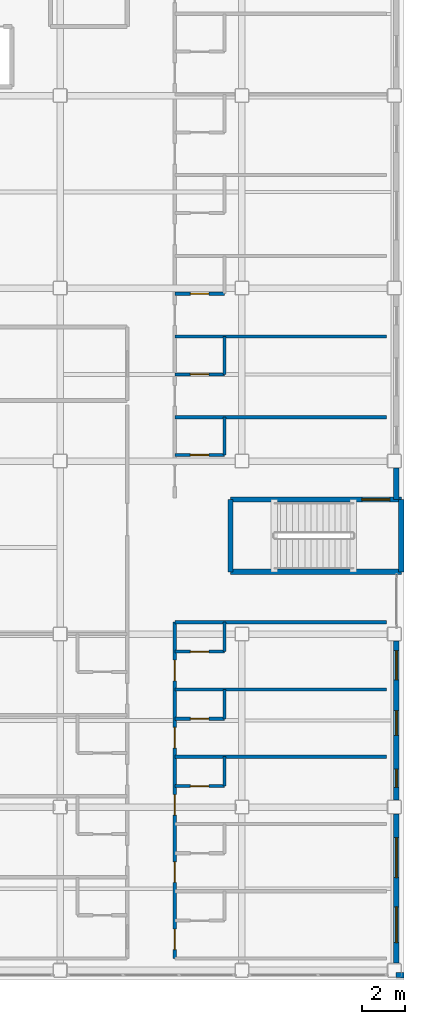
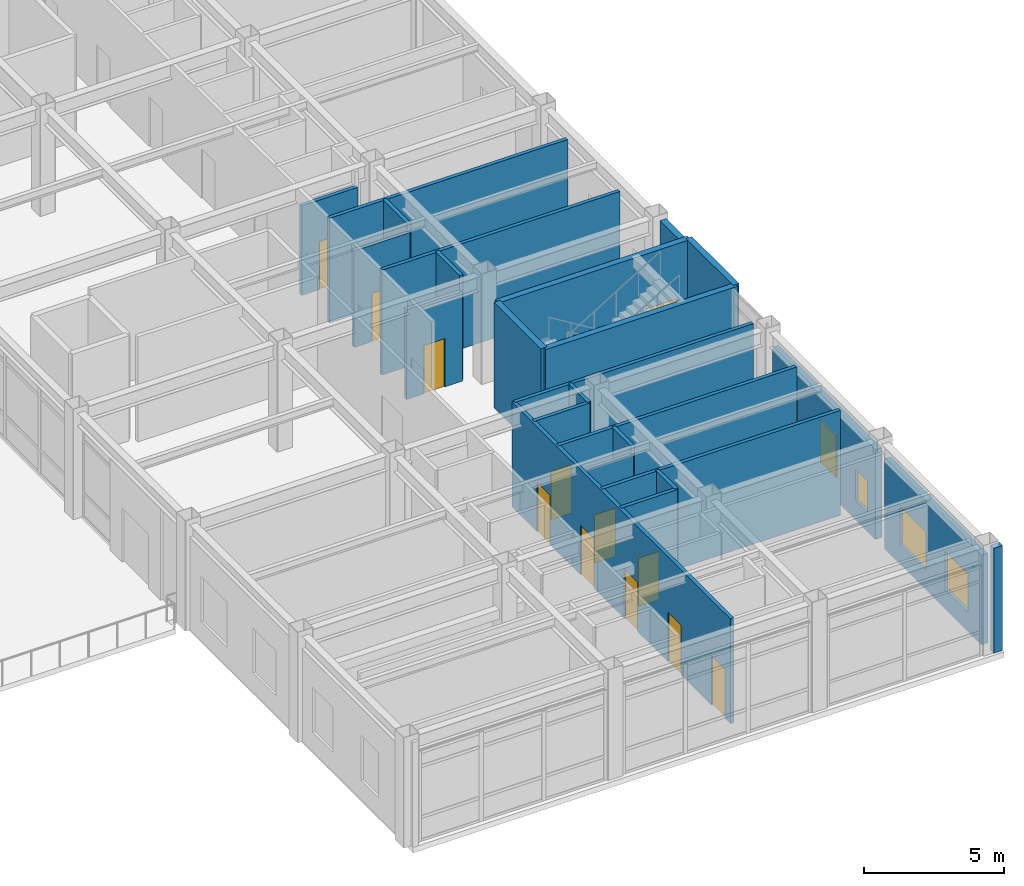
# One storey, part 50 of 61: 25 walls, 12 doors, 5 windows, 17 openings.
"""IFC4 building model written with IfcOpenShell, lengths in metres."""

from ifc_helpers import new_model, si_unit, direction, frame, frame_2d, origin, place, context, subcontext, project, spatial, rectangle, extrude, material, layer, layer_set, type_object, element, fill, save


model = new_model("IFC4")

# Units and contexts
model_context = context("Model", 3, precision=1e-05, world=origin(), true_north=direction((0.0, 1.0)))
body_context = subcontext(model_context, "Body", "Model", "MODEL_VIEW")
ifc_project = project(units=[si_unit("LENGTHUNIT", "METRE"), si_unit("AREAUNIT", "SQUARE_METRE"), si_unit("VOLUMEUNIT", "CUBIC_METRE"), si_unit("PLANEANGLEUNIT", "RADIAN"), si_unit("MASSUNIT", "GRAM", prefix="KILO")], contexts=[model_context])

# Site, building, storey
site_placement = place(None, origin())
site = spatial("IfcSite", under=ifc_project, at=site_placement, CompositionType="ELEMENT")
building_placement = place(site_placement, origin())
building = spatial("IfcBuilding", under=site, at=building_placement, Name="Kazehara Bluff Congress Hotel", CompositionType="ELEMENT")
storey_placement = place(building_placement, frame((0.0, 0.0, 19.800048828125)))
storey = spatial("IfcBuildingStorey", under=building, at=storey_placement, Name="L04", CompositionType="ELEMENT", Elevation=19.800048828125)

# Walls
ifc_material_1 = material(Name="Concrete C40/50", Category="concrete")
ifc_layer_1 = layer(ifc_material_1, 0.25)
ifc_layer_set_1 = layer_set([ifc_layer_1], Name="Concrete C40/50")
wall_type_1 = type_object("IfcWallType", Name="TP-CW-RC", PredefinedType="SHEAR", material=ifc_layer_set_1)
for number, where, z_axis, x_axis, name in (
    (1, (167.875, 22.22509765625, 0.0), (0.0, 0.0, 1.0), (0.0, -1.0, 0.0), "L04 ST-10 core wall near"),
    (2, (159.97509765625, 18.875, 0.0), (0.0, 0.0, 1.0), (0.0, 1.0, 0.0), "L04 ST-10 core wall far"),
):
    element("IfcWall", number, at=place(storey_placement, frame(where, z_axis=z_axis, x_axis=x_axis)), inside=storey, type_object=wall_type_1, Name=name, PredefinedType="SHEAR", context=body_context, shape_type="SweptSolid", body=[
        extrude(rectangle(XDim=3.35009765625, YDim=0.25, at=frame_2d((1.675048828125, 0.0))), origin(), (0.0, 0.0, 1.0), 4.579833984375),
    ])

# Wall, opening, door
wall_1_placement = place(storey_placement, frame((159.97509765625, 22.22509765625, 0.0), z_axis=(0.0, 0.0, 1.0), x_axis=(1.0, 0.0, 0.0)))
wall_1 = element("IfcWall", 3, at=wall_1_placement, inside=storey, type_object=wall_type_1, Name="L04 ST-10 core wall left", PredefinedType="SHEAR", context=body_context, shape_type="SweptSolid", body=[
    extrude(rectangle(XDim=7.89990234375, YDim=0.25, at=frame_2d((3.949951171875, 0.0))), origin(), (0.0, 0.0, 1.0), 4.579833984375),
])
opening_1_placement = place(wall_1_placement, frame((6.074951171875, 0.0, 0.0)))
opening_1 = element("IfcOpeningElement", 4, at=opening_1_placement, cuts=wall_1, Name="Opening FD-01", PredefinedType="OPENING", context=body_context, shape_type="SweptSolid", body=[
    extrude(rectangle(XDim=1.300048828125, YDim=2.199951171875, at=frame_2d((0.64990234375, 1.10009765625))), frame((0.0, 0.135009765625, 0.0), z_axis=(0.0, -1.0, 0.0), x_axis=(1.0, 0.0, 0.0)), (0.0, 0.0, 1.0), 0.27001953125),
])
ifc_material_2 = material(Name="Fire-rated painted steel leaf", Category="steel")
door_type_1 = type_object("IfcDoorType", Name="TP-FD-01", OperationType="NOTDEFINED", PredefinedType="DOOR", material=ifc_material_2)
door_1_placement = place(opening_1_placement, origin())
door_1 = element("IfcDoor", 5, at=door_1_placement, inside=storey, type_object=door_type_1, Name="L04 ST-10 fire stair door", OperationType="SINGLE_SWING_RIGHT", OverallHeight=2.199951171875, OverallWidth=1.300048828125, PredefinedType="DOOR", context=body_context, shape_type="SweptSolid", body=[
    extrude(rectangle(XDim=1.300048828125, YDim=2.199951171875, at=frame_2d((0.64990234375, 1.10009765625))), frame((0.0, 0.02490234375, 0.0), z_axis=(0.0, -1.0, 0.0), x_axis=(1.0, 0.0, 0.0)), (0.0, 0.0, 1.0), 0.050048828125),
])
fill(opening_1, door_1)

# Walls
wall_2_placement = place(storey_placement, frame((167.875, 18.875, 0.0), z_axis=(0.0, 0.0, 1.0), x_axis=(-1.0, 0.0, 0.0)))
element("IfcWall", 6, at=wall_2_placement, inside=storey, type_object=wall_type_1, Name="L04 ST-10 core wall right", PredefinedType="SHEAR", context=body_context, shape_type="SweptSolid", body=[
    extrude(rectangle(XDim=7.89990234375, YDim=0.25, at=frame_2d((3.949951171875, 0.0))), origin(), (0.0, 0.0, 1.0), 4.579833984375),
])
ifc_material_3 = material(Name="Precast concrete C40/50", Category="concrete")
ifc_layer_2 = layer(ifc_material_3, 0.239990234375)
ifc_layer_set_2 = layer_set([ifc_layer_2], Name="Precast concrete C40/50")
wall_type_2 = type_object("IfcWallType", Name="TP-EW-240", PredefinedType="SOLIDWALL", material=ifc_layer_set_2)
wall_3_placement = place(storey_placement, frame((168.0, 0.219970703125, 0.0), z_axis=(0.0, 0.0, 1.0), x_axis=(-1.0, 0.0, 0.0)))
element("IfcWall", 7, at=wall_3_placement, inside=storey, type_object=wall_type_2, Name="L04 V5 perimeter spandrel pier 725", PredefinedType="SOLIDWALL", context=body_context, shape_type="SweptSolid", body=[
    extrude(rectangle(XDim=0.360107421875, YDim=0.239990234375, at=frame_2d((0.18017578125, 0.0))), origin(), (0.0, 0.0, 1.0), 4.56494140625),
])

# Wall, openings, windows
ifc_material_4 = material(Name="Precast concrete C40/50", Category="concrete")
ifc_layer_3 = layer(ifc_material_4, 0.260009765625)
ifc_layer_set_3 = layer_set([ifc_layer_3], Name="Precast concrete C40/50")
wall_type_3 = type_object("IfcWallType", Name="TP-EW-260", PredefinedType="SOLIDWALL", material=ifc_layer_set_3)
wall_4_placement = place(storey_placement, frame((167.64990234375, 7.675048828125, 0.0), z_axis=(0.0, 0.0, 1.0), x_axis=(0.0, -1.0, 0.0)))
wall_4 = element("IfcWall", 8, at=wall_4_placement, inside=storey, type_object=wall_type_3, Name="L04 hotel facade panel 24", PredefinedType="SOLIDWALL", context=body_context, shape_type="SweptSolid", body=[
    extrude(rectangle(XDim=6.900146484375, YDim=0.260009765625, at=frame_2d((3.4501953125, 0.0))), origin(), (0.0, 0.0, 1.0), 3.905029296875),
])
opening_2_placement = place(wall_4_placement, frame((4.294921875, 0.0, 0.85009765625)))
opening_2 = element("IfcOpeningElement", 9, at=opening_2_placement, cuts=wall_4, Name="Opening WN-28", PredefinedType="OPENING", context=body_context, shape_type="SweptSolid", body=[
    extrude(rectangle(XDim=1.64990234375, YDim=1.64990234375, at=frame_2d((0.824951171875, 0.824951171875))), frame((0.0, 0.139892578125, 0.0), z_axis=(0.0, -1.0, 0.0), x_axis=(1.0, 0.0, 0.0)), (0.0, 0.0, 1.0), 0.280029296875),
])
opening_3_placement = place(wall_4_placement, frame((1.0849609375, 0.0, 0.85009765625)))
opening_3 = element("IfcOpeningElement", 10, at=opening_3_placement, cuts=wall_4, Name="Opening WN-38", PredefinedType="OPENING", context=body_context, shape_type="SweptSolid", body=[
    extrude(rectangle(XDim=1.85009765625, YDim=1.64990234375, at=frame_2d((0.925048828125, 0.824951171875))), frame((0.0, 0.139892578125, 0.0), z_axis=(0.0, -1.0, 0.0), x_axis=(1.0, 0.0, 0.0)), (0.0, 0.0, 1.0), 0.280029296875),
])
ifc_material_5 = material(Name="Insulated low-E double glazing", Category="glass")
window_type_1 = type_object("IfcWindowType", Name="TP-WN-28", PartitioningType="SINGLE_PANEL", PredefinedType="WINDOW", material=ifc_material_5)
window_1_placement = place(opening_2_placement, origin())
window_1 = element("IfcWindow", 11, at=window_1_placement, inside=storey, type_object=window_type_1, Name="L04 guestroom window WN-28 31", OverallHeight=1.64990234375, OverallWidth=1.64990234375, PartitioningType="SINGLE_PANEL", PredefinedType="WINDOW", context=body_context, shape_type="SweptSolid", body=[
    extrude(rectangle(XDim=1.64990234375, YDim=1.64990234375, at=frame_2d((0.824951171875, 0.824951171875))), frame((0.0, 0.030029296875, 0.0), z_axis=(0.0, -1.0, 0.0), x_axis=(1.0, 0.0, 0.0)), (0.0, 0.0, 1.0), 0.06005859375),
])
fill(opening_2, window_1)
ifc_material_6 = material(Name="Insulated low-E double glazing", Category="glass")
window_type_2 = type_object("IfcWindowType", Name="TP-WN-38", PartitioningType="DOUBLE_PANEL_VERTICAL", PredefinedType="WINDOW", material=ifc_material_6)
window_2_placement = place(opening_3_placement, origin())
window_2 = element("IfcWindow", 12, at=window_2_placement, inside=storey, type_object=window_type_2, Name="L04 guestroom window WN-38 32", OverallHeight=1.64990234375, OverallWidth=1.85009765625, PartitioningType="SINGLE_PANEL", PredefinedType="WINDOW", context=body_context, shape_type="SweptSolid", body=[
    extrude(rectangle(XDim=1.85009765625, YDim=1.64990234375, at=frame_2d((0.925048828125, 0.824951171875))), frame((0.0, 0.030029296875, 0.0), z_axis=(0.0, -1.0, 0.0), x_axis=(1.0, 0.0, 0.0)), (0.0, 0.0, 1.0), 0.06005859375),
])
fill(opening_3, window_2)

wall_5_placement = place(storey_placement, frame((167.64990234375, 15.675048828125, 0.0), z_axis=(0.0, 0.0, 1.0), x_axis=(0.0, -1.0, 0.0)))
wall_5 = element("IfcWall", 13, at=wall_5_placement, inside=storey, type_object=wall_type_3, Name="L04 hotel facade panel 25", PredefinedType="SOLIDWALL", context=body_context, shape_type="SweptSolid", body=[
    extrude(rectangle(XDim=7.35009765625, YDim=0.260009765625, at=frame_2d((3.675048828125, 0.0))), origin(), (0.0, 0.0, 1.0), 3.905029296875),
])
opening_4_placement = place(wall_5_placement, frame((5.919921875, 0.0, 0.85009765625)))
opening_4 = element("IfcOpeningElement", 14, at=opening_4_placement, cuts=wall_5, Name="Opening WN-55", PredefinedType="OPENING", context=body_context, shape_type="SweptSolid", body=[
    extrude(rectangle(XDim=0.85009765625, YDim=1.35009765625, at=frame_2d((0.425048828125, 0.675048828125))), frame((0.0, 0.139892578125, 0.0), z_axis=(0.0, -1.0, 0.0), x_axis=(1.0, 0.0, 0.0)), (0.0, 0.0, 1.0), 0.280029296875),
])
opening_5_placement = place(wall_5_placement, frame((3.215087890625, 0.0, 0.85009765625)))
opening_5 = element("IfcOpeningElement", 15, at=opening_5_placement, cuts=wall_5, Name="Opening WN-04", PredefinedType="OPENING", context=body_context, shape_type="SweptSolid", body=[
    extrude(rectangle(XDim=1.14990234375, YDim=1.800048828125, at=frame_2d((0.574951171875, 0.89990234375))), frame((0.0, 0.139892578125, 0.0), z_axis=(0.0, -1.0, 0.0), x_axis=(1.0, 0.0, 0.0)), (0.0, 0.0, 1.0), 0.280029296875),
])
opening_6_placement = place(wall_5_placement, frame((0.43994140625, 0.0, 0.85009765625)))
opening_6 = element("IfcOpeningElement", 16, at=opening_6_placement, cuts=wall_5, Name="Opening WN-14", PredefinedType="OPENING", context=body_context, shape_type="SweptSolid", body=[
    extrude(rectangle(XDim=1.35009765625, YDim=1.800048828125, at=frame_2d((0.675048828125, 0.89990234375))), frame((0.0, 0.139892578125, 0.0), z_axis=(0.0, -1.0, 0.0), x_axis=(1.0, 0.0, 0.0)), (0.0, 0.0, 1.0), 0.280029296875),
])
ifc_material_7 = material(Name="Insulated low-E double glazing", Category="glass")
window_type_3 = type_object("IfcWindowType", Name="TP-WN-04", PartitioningType="SINGLE_PANEL", PredefinedType="WINDOW", material=ifc_material_7)
window_3_placement = place(opening_5_placement, origin())
window_3 = element("IfcWindow", 17, at=window_3_placement, inside=storey, type_object=window_type_3, Name="L04 guestroom window WN-04 34", OverallHeight=1.800048828125, OverallWidth=1.14990234375, PartitioningType="SINGLE_PANEL", PredefinedType="WINDOW", context=body_context, shape_type="SweptSolid", body=[
    extrude(rectangle(XDim=1.14990234375, YDim=1.800048828125, at=frame_2d((0.574951171875, 0.89990234375))), frame((0.0, 0.030029296875, 0.0), z_axis=(0.0, -1.0, 0.0), x_axis=(1.0, 0.0, 0.0)), (0.0, 0.0, 1.0), 0.06005859375),
])
fill(opening_5, window_3)
ifc_material_8 = material(Name="Insulated low-E double glazing", Category="glass")
window_type_4 = type_object("IfcWindowType", Name="TP-WN-14", PartitioningType="SINGLE_PANEL", PredefinedType="WINDOW", material=ifc_material_8)
window_4_placement = place(opening_6_placement, origin())
window_4 = element("IfcWindow", 18, at=window_4_placement, inside=storey, type_object=window_type_4, Name="L04 guestroom window WN-14 35", OverallHeight=1.800048828125, OverallWidth=1.35009765625, PartitioningType="SINGLE_PANEL", PredefinedType="WINDOW", context=body_context, shape_type="SweptSolid", body=[
    extrude(rectangle(XDim=1.35009765625, YDim=1.800048828125, at=frame_2d((0.675048828125, 0.89990234375))), frame((0.0, 0.030029296875, 0.0), z_axis=(0.0, -1.0, 0.0), x_axis=(1.0, 0.0, 0.0)), (0.0, 0.0, 1.0), 0.06005859375),
])
fill(opening_6, window_4)
ifc_material_9 = material(Name="Insulated low-E double glazing", Category="glass")
window_type_5 = type_object("IfcWindowType", Name="TP-WN-55", PartitioningType="SINGLE_PANEL", PredefinedType="WINDOW", material=ifc_material_9)
window_5_placement = place(opening_4_placement, origin())
window_5 = element("IfcWindow", 19, at=window_5_placement, inside=storey, type_object=window_type_5, Name="L04 guestroom window WN-55 33", OverallHeight=1.35009765625, OverallWidth=0.85009765625, PartitioningType="SINGLE_PANEL", PredefinedType="WINDOW", context=body_context, shape_type="SweptSolid", body=[
    extrude(rectangle(XDim=0.85009765625, YDim=1.35009765625, at=frame_2d((0.425048828125, 0.675048828125))), frame((0.0, 0.030029296875, 0.0), z_axis=(0.0, -1.0, 0.0), x_axis=(1.0, 0.0, 0.0)), (0.0, 0.0, 1.0), 0.06005859375),
])
fill(opening_4, window_5)

# Wall
wall_6_placement = place(storey_placement, frame((167.64990234375, 23.675048828125, 0.0), z_axis=(0.0, 0.0, 1.0), x_axis=(0.0, -1.0, 0.0)))
element("IfcWall", 20, at=wall_6_placement, inside=storey, type_object=wall_type_3, Name="L04 hotel facade panel 26", PredefinedType="SOLIDWALL", context=body_context, shape_type="SweptSolid", body=[
    extrude(rectangle(XDim=1.449951171875, YDim=0.260009765625, at=frame_2d((0.72509765625, 0.0))), origin(), (0.0, 0.0, 1.0), 4.56494140625),
])

# Wall, opening, door
ifc_material_10 = material(Name="Fire-rated gypsum board stud partition")
ifc_layer_4 = layer(ifc_material_10, 0.14990234375)
ifc_layer_set_4 = layer_set([ifc_layer_4], Name="Fire-rated gypsum board stud partition")
wall_type_4 = type_object("IfcWallType", Name="TP-PT-150", PredefinedType="PARTITIONING", material=ifc_layer_set_4)
wall_7_placement = place(storey_placement, frame((157.39990234375, 8.969970703125, 0.0), z_axis=(0.0, 0.0, 1.0), x_axis=(1.0, 0.0, 0.0)))
wall_7 = element("IfcWall", 21, at=wall_7_placement, inside=storey, type_object=wall_type_4, Name="L04 partition PT-150 378", PredefinedType="PARTITIONING", context=body_context, shape_type="SweptSolid", body=[
    extrude(rectangle(XDim=2.300048828125, YDim=0.14990234375, at=frame_2d((1.14990234375, 0.0))), origin(), (0.0, 0.0, 1.0), 4.56494140625),
])
opening_7_placement = place(wall_7_placement, frame((0.72509765625, 0.0, 0.0)))
opening_7 = element("IfcOpeningElement", 22, at=opening_7_placement, cuts=wall_7, Name="Opening BD-01", PredefinedType="OPENING", context=body_context, shape_type="SweptSolid", body=[
    extrude(rectangle(XDim=0.85009765625, YDim=2.10009765625, at=frame_2d((0.425048828125, 1.050048828125))), frame((0.0, 0.0849609375, 0.0), z_axis=(0.0, -1.0, 0.0), x_axis=(1.0, 0.0, 0.0)), (0.0, 0.0, 1.0), 0.169921875),
])
ifc_material_11 = material(Name="Architectural oak veneer leaf")
door_type_2 = type_object("IfcDoorType", Name="TP-BD-01", OperationType="NOTDEFINED", PredefinedType="DOOR", material=ifc_material_11)
door_2_placement = place(opening_7_placement, origin())
door_2 = element("IfcDoor", 23, at=door_2_placement, inside=storey, type_object=door_type_2, Name="L04 En-suite Bathroom 51 door", OperationType="SINGLE_SWING_LEFT", OverallHeight=2.10009765625, OverallWidth=0.85009765625, PredefinedType="DOOR", context=body_context, shape_type="SweptSolid", body=[
    extrude(rectangle(XDim=0.85009765625, YDim=2.10009765625, at=frame_2d((0.425048828125, 1.050048828125))), frame((0.0, 0.02490234375, 0.0), z_axis=(0.0, -1.0, 0.0), x_axis=(1.0, 0.0, 0.0)), (0.0, 0.0, 1.0), 0.050048828125),
])
fill(opening_7, door_2)

# Wall
wall_8_placement = place(storey_placement, frame((157.39990234375, 10.330078125, 0.0), z_axis=(0.0, 0.0, 1.0), x_axis=(1.0, 0.0, 0.0)))
element("IfcWall", 24, at=wall_8_placement, inside=storey, type_object=wall_type_4, Name="L04 partition PT-150 379", PredefinedType="PARTITIONING", context=body_context, shape_type="SweptSolid", body=[
    extrude(rectangle(XDim=9.800048828125, YDim=0.14990234375, at=frame_2d((4.89990234375, 0.0))), origin(), (0.0, 0.0, 1.0), 4.56494140625),
])

# Wall, opening, door
wall_9_placement = place(storey_placement, frame((157.39990234375, 12.080078125, 0.0), z_axis=(0.0, 0.0, 1.0), x_axis=(1.0, 0.0, 0.0)))
wall_9 = element("IfcWall", 25, at=wall_9_placement, inside=storey, type_object=wall_type_4, Name="L04 partition PT-150 381", PredefinedType="PARTITIONING", context=body_context, shape_type="SweptSolid", body=[
    extrude(rectangle(XDim=2.300048828125, YDim=0.14990234375, at=frame_2d((1.14990234375, 0.0))), origin(), (0.0, 0.0, 1.0), 4.204833984375),
])
opening_8_placement = place(wall_9_placement, frame((0.72509765625, 0.0, 0.0)))
opening_8 = element("IfcOpeningElement", 26, at=opening_8_placement, cuts=wall_9, Name="Opening BD-01", PredefinedType="OPENING", context=body_context, shape_type="SweptSolid", body=[
    extrude(rectangle(XDim=0.85009765625, YDim=2.10009765625, at=frame_2d((0.425048828125, 1.050048828125))), frame((0.0, 0.0849609375, 0.0), z_axis=(0.0, -1.0, 0.0), x_axis=(1.0, 0.0, 0.0)), (0.0, 0.0, 1.0), 0.169921875),
])
door_3_placement = place(opening_8_placement, origin())
door_3 = element("IfcDoor", 27, at=door_3_placement, inside=storey, type_object=door_type_2, Name="L04 En-suite Bathroom 52 door", OperationType="SINGLE_SWING_LEFT", OverallHeight=2.10009765625, OverallWidth=0.85009765625, PredefinedType="DOOR", context=body_context, shape_type="SweptSolid", body=[
    extrude(rectangle(XDim=0.85009765625, YDim=2.10009765625, at=frame_2d((0.425048828125, 1.050048828125))), frame((0.0, 0.02490234375, 0.0), z_axis=(0.0, -1.0, 0.0), x_axis=(1.0, 0.0, 0.0)), (0.0, 0.0, 1.0), 0.050048828125),
])
fill(opening_8, door_3)

# Wall
wall_10_placement = place(storey_placement, frame((157.39990234375, 13.43994140625, 0.0), z_axis=(0.0, 0.0, 1.0), x_axis=(1.0, 0.0, 0.0)))
element("IfcWall", 28, at=wall_10_placement, inside=storey, type_object=wall_type_4, Name="L04 partition PT-150 383", PredefinedType="PARTITIONING", context=body_context, shape_type="SweptSolid", body=[
    extrude(rectangle(XDim=9.800048828125, YDim=0.14990234375, at=frame_2d((4.89990234375, 0.0))), origin(), (0.0, 0.0, 1.0), 4.56494140625),
])

# Wall, opening, door
wall_11_placement = place(storey_placement, frame((157.39990234375, 15.18994140625, 0.0), z_axis=(0.0, 0.0, 1.0), x_axis=(1.0, 0.0, 0.0)))
wall_11 = element("IfcWall", 29, at=wall_11_placement, inside=storey, type_object=wall_type_4, Name="L04 partition PT-150 385", PredefinedType="PARTITIONING", context=body_context, shape_type="SweptSolid", body=[
    extrude(rectangle(XDim=2.300048828125, YDim=0.14990234375, at=frame_2d((1.14990234375, 0.0))), origin(), (0.0, 0.0, 1.0), 4.56494140625),
])
opening_9_placement = place(wall_11_placement, frame((0.72509765625, 0.0, 0.0)))
opening_9 = element("IfcOpeningElement", 30, at=opening_9_placement, cuts=wall_11, Name="Opening BD-01", PredefinedType="OPENING", context=body_context, shape_type="SweptSolid", body=[
    extrude(rectangle(XDim=0.85009765625, YDim=2.10009765625, at=frame_2d((0.425048828125, 1.050048828125))), frame((0.0, 0.0849609375, 0.0), z_axis=(0.0, -1.0, 0.0), x_axis=(1.0, 0.0, 0.0)), (0.0, 0.0, 1.0), 0.169921875),
])
door_4_placement = place(opening_9_placement, origin())
door_4 = element("IfcDoor", 31, at=door_4_placement, inside=storey, type_object=door_type_2, Name="L04 En-suite Bathroom 53 door", OperationType="SINGLE_SWING_LEFT", OverallHeight=2.10009765625, OverallWidth=0.85009765625, PredefinedType="DOOR", context=body_context, shape_type="SweptSolid", body=[
    extrude(rectangle(XDim=0.85009765625, YDim=2.10009765625, at=frame_2d((0.425048828125, 1.050048828125))), frame((0.0, 0.02490234375, 0.0), z_axis=(0.0, -1.0, 0.0), x_axis=(1.0, 0.0, 0.0)), (0.0, 0.0, 1.0), 0.050048828125),
])
fill(opening_9, door_4)

# Wall
wall_12_placement = place(storey_placement, frame((157.39990234375, 16.550048828125, 0.0), z_axis=(0.0, 0.0, 1.0), x_axis=(1.0, 0.0, 0.0)))
element("IfcWall", 32, at=wall_12_placement, inside=storey, type_object=wall_type_4, Name="L04 partition PT-150 388", PredefinedType="PARTITIONING", context=body_context, shape_type="SweptSolid", body=[
    extrude(rectangle(XDim=9.800048828125, YDim=0.14990234375, at=frame_2d((4.89990234375, 0.0))), origin(), (0.0, 0.0, 1.0), 4.56494140625),
])

# Wall, opening, door
wall_13_placement = place(storey_placement, frame((157.39990234375, 24.280029296875, 0.0), z_axis=(0.0, 0.0, 1.0), x_axis=(1.0, 0.0, 0.0)))
wall_13 = element("IfcWall", 33, at=wall_13_placement, inside=storey, type_object=wall_type_4, Name="L04 partition PT-150 390", PredefinedType="PARTITIONING", context=body_context, shape_type="SweptSolid", body=[
    extrude(rectangle(XDim=2.300048828125, YDim=0.14990234375, at=frame_2d((1.14990234375, 0.0))), origin(), (0.0, 0.0, 1.0), 3.905029296875),
])
opening_10_placement = place(wall_13_placement, frame((0.72509765625, 0.0, 0.0)))
opening_10 = element("IfcOpeningElement", 34, at=opening_10_placement, cuts=wall_13, Name="Opening BD-01", PredefinedType="OPENING", context=body_context, shape_type="SweptSolid", body=[
    extrude(rectangle(XDim=0.85009765625, YDim=2.10009765625, at=frame_2d((0.425048828125, 1.050048828125))), frame((0.0, 0.0849609375, 0.0), z_axis=(0.0, -1.0, 0.0), x_axis=(1.0, 0.0, 0.0)), (0.0, 0.0, 1.0), 0.169921875),
])
door_5_placement = place(opening_10_placement, origin())
door_5 = element("IfcDoor", 35, at=door_5_placement, inside=storey, type_object=door_type_2, Name="L04 En-suite Bathroom 54 door", OperationType="SINGLE_SWING_LEFT", OverallHeight=2.10009765625, OverallWidth=0.85009765625, PredefinedType="DOOR", context=body_context, shape_type="SweptSolid", body=[
    extrude(rectangle(XDim=0.85009765625, YDim=2.10009765625, at=frame_2d((0.425048828125, 1.050048828125))), frame((0.0, 0.02490234375, 0.0), z_axis=(0.0, -1.0, 0.0), x_axis=(1.0, 0.0, 0.0)), (0.0, 0.0, 1.0), 0.050048828125),
])
fill(opening_10, door_5)

# Wall
wall_14_placement = place(storey_placement, frame((157.39990234375, 26.030029296875, 0.0), z_axis=(0.0, 0.0, 1.0), x_axis=(1.0, 0.0, 0.0)))
element("IfcWall", 36, at=wall_14_placement, inside=storey, type_object=wall_type_4, Name="L04 partition PT-150 391", PredefinedType="PARTITIONING", context=body_context, shape_type="SweptSolid", body=[
    extrude(rectangle(XDim=9.800048828125, YDim=0.14990234375, at=frame_2d((4.89990234375, 0.0))), origin(), (0.0, 0.0, 1.0), 4.56494140625),
])

# Wall, opening, door
wall_15_placement = place(storey_placement, frame((157.39990234375, 28.010009765625, 0.0), z_axis=(0.0, 0.0, 1.0), x_axis=(1.0, 0.0, 0.0)))
wall_15 = element("IfcWall", 37, at=wall_15_placement, inside=storey, type_object=wall_type_4, Name="L04 partition PT-150 393", PredefinedType="PARTITIONING", context=body_context, shape_type="SweptSolid", body=[
    extrude(rectangle(XDim=2.300048828125, YDim=0.14990234375, at=frame_2d((1.14990234375, 0.0))), origin(), (0.0, 0.0, 1.0), 4.204833984375),
])
opening_11_placement = place(wall_15_placement, frame((0.72509765625, 0.0, 0.0)))
opening_11 = element("IfcOpeningElement", 38, at=opening_11_placement, cuts=wall_15, Name="Opening BD-01", PredefinedType="OPENING", context=body_context, shape_type="SweptSolid", body=[
    extrude(rectangle(XDim=0.85009765625, YDim=2.10009765625, at=frame_2d((0.425048828125, 1.050048828125))), frame((0.0, 0.0849609375, 0.0), z_axis=(0.0, -1.0, 0.0), x_axis=(1.0, 0.0, 0.0)), (0.0, 0.0, 1.0), 0.169921875),
])
door_6_placement = place(opening_11_placement, origin())
door_6 = element("IfcDoor", 39, at=door_6_placement, inside=storey, type_object=door_type_2, Name="L04 En-suite Bathroom 55 door", OperationType="SINGLE_SWING_LEFT", OverallHeight=2.10009765625, OverallWidth=0.85009765625, PredefinedType="DOOR", context=body_context, shape_type="SweptSolid", body=[
    extrude(rectangle(XDim=0.85009765625, YDim=2.10009765625, at=frame_2d((0.425048828125, 1.050048828125))), frame((0.0, 0.02490234375, 0.0), z_axis=(0.0, -1.0, 0.0), x_axis=(1.0, 0.0, 0.0)), (0.0, 0.0, 1.0), 0.050048828125),
])
fill(opening_11, door_6)

# Wall
wall_16_placement = place(storey_placement, frame((157.39990234375, 29.760009765625, 0.0), z_axis=(0.0, 0.0, 1.0), x_axis=(1.0, 0.0, 0.0)))
element("IfcWall", 40, at=wall_16_placement, inside=storey, type_object=wall_type_4, Name="L04 partition PT-150 394", PredefinedType="PARTITIONING", context=body_context, shape_type="SweptSolid", body=[
    extrude(rectangle(XDim=9.800048828125, YDim=0.14990234375, at=frame_2d((4.89990234375, 0.0))), origin(), (0.0, 0.0, 1.0), 4.56494140625),
])

# Wall, opening, door
wall_17_placement = place(storey_placement, frame((157.39990234375, 31.739990234375, 0.0), z_axis=(0.0, 0.0, 1.0), x_axis=(1.0, 0.0, 0.0)))
wall_17 = element("IfcWall", 41, at=wall_17_placement, inside=storey, type_object=wall_type_4, Name="L04 partition PT-150 396", PredefinedType="PARTITIONING", context=body_context, shape_type="SweptSolid", body=[
    extrude(rectangle(XDim=2.300048828125, YDim=0.14990234375, at=frame_2d((1.14990234375, 0.0))), origin(), (0.0, 0.0, 1.0), 3.905029296875),
])
opening_12_placement = place(wall_17_placement, frame((0.72509765625, 0.0, 0.0)))
opening_12 = element("IfcOpeningElement", 42, at=opening_12_placement, cuts=wall_17, Name="Opening BD-01", PredefinedType="OPENING", context=body_context, shape_type="SweptSolid", body=[
    extrude(rectangle(XDim=0.85009765625, YDim=2.10009765625, at=frame_2d((0.425048828125, 1.050048828125))), frame((0.0, 0.0849609375, 0.0), z_axis=(0.0, -1.0, 0.0), x_axis=(1.0, 0.0, 0.0)), (0.0, 0.0, 1.0), 0.169921875),
])
door_7_placement = place(opening_12_placement, origin())
door_7 = element("IfcDoor", 43, at=door_7_placement, inside=storey, type_object=door_type_2, Name="L04 En-suite Bathroom 56 door", OperationType="SINGLE_SWING_LEFT", OverallHeight=2.10009765625, OverallWidth=0.85009765625, PredefinedType="DOOR", context=body_context, shape_type="SweptSolid", body=[
    extrude(rectangle(XDim=0.85009765625, YDim=2.10009765625, at=frame_2d((0.425048828125, 1.050048828125))), frame((0.0, 0.02490234375, 0.0), z_axis=(0.0, -1.0, 0.0), x_axis=(1.0, 0.0, 0.0)), (0.0, 0.0, 1.0), 0.050048828125),
])
fill(opening_12, door_7)

# Wall, openings, doors
wall_18_placement = place(storey_placement, frame((157.39990234375, 1.0, 0.0), z_axis=(0.0, 0.0, 1.0), x_axis=(0.0, 1.0, 0.0)))
wall_18 = element("IfcWall", 44, at=wall_18_placement, inside=storey, type_object=wall_type_4, Name="L04 partition PT-150 485", PredefinedType="PARTITIONING", context=body_context, shape_type="SweptSolid", body=[
    extrude(rectangle(XDim=15.550048828125, YDim=0.14990234375, at=frame_2d((7.77490234375, 0.0))), origin(), (0.0, 0.0, 1.0), 4.56494140625),
])
opening_13_placement = place(wall_18_placement, frame((0.39990234375, 0.0, 0.0)))
opening_13 = element("IfcOpeningElement", 45, at=opening_13_placement, cuts=wall_18, Name="Opening GD-01", PredefinedType="OPENING", context=body_context, shape_type="SweptSolid", body=[
    extrude(rectangle(XDim=0.949951171875, YDim=2.14990234375, at=frame_2d((0.47509765625, 1.074951171875))), frame((0.0, 0.0849609375, 0.0), z_axis=(0.0, -1.0, 0.0), x_axis=(1.0, 0.0, 0.0)), (0.0, 0.0, 1.0), 0.169921875),
])
opening_14_placement = place(wall_18_placement, frame((3.510009765625, 0.0, 0.0)))
opening_14 = element("IfcOpeningElement", 46, at=opening_14_placement, cuts=wall_18, Name="Opening GD-01", PredefinedType="OPENING", context=body_context, shape_type="SweptSolid", body=[
    extrude(rectangle(XDim=0.949951171875, YDim=2.14990234375, at=frame_2d((0.47509765625, 1.074951171875))), frame((0.0, 0.0849609375, 0.0), z_axis=(0.0, -1.0, 0.0), x_axis=(1.0, 0.0, 0.0)), (0.0, 0.0, 1.0), 0.169921875),
])
opening_15_placement = place(wall_18_placement, frame((6.6201171875, 0.0, 0.0)))
opening_15 = element("IfcOpeningElement", 47, at=opening_15_placement, cuts=wall_18, Name="Opening GD-01", PredefinedType="OPENING", context=body_context, shape_type="SweptSolid", body=[
    extrude(rectangle(XDim=0.949951171875, YDim=2.14990234375, at=frame_2d((0.47509765625, 1.074951171875))), frame((0.0, 0.0849609375, 0.0), z_axis=(0.0, -1.0, 0.0), x_axis=(1.0, 0.0, 0.0)), (0.0, 0.0, 1.0), 0.169921875),
])
opening_16_placement = place(wall_18_placement, frame((9.72998046875, 0.0, 0.0)))
opening_16 = element("IfcOpeningElement", 48, at=opening_16_placement, cuts=wall_18, Name="Opening GD-01", PredefinedType="OPENING", context=body_context, shape_type="SweptSolid", body=[
    extrude(rectangle(XDim=0.949951171875, YDim=2.14990234375, at=frame_2d((0.47509765625, 1.074951171875))), frame((0.0, 0.0849609375, 0.0), z_axis=(0.0, -1.0, 0.0), x_axis=(1.0, 0.0, 0.0)), (0.0, 0.0, 1.0), 0.169921875),
])
opening_17_placement = place(wall_18_placement, frame((12.840087890625, 0.0, 0.0)))
opening_17 = element("IfcOpeningElement", 49, at=opening_17_placement, cuts=wall_18, Name="Opening GD-01", PredefinedType="OPENING", context=body_context, shape_type="SweptSolid", body=[
    extrude(rectangle(XDim=0.949951171875, YDim=2.14990234375, at=frame_2d((0.47509765625, 1.074951171875))), frame((0.0, 0.0849609375, 0.0), z_axis=(0.0, -1.0, 0.0), x_axis=(1.0, 0.0, 0.0)), (0.0, 0.0, 1.0), 0.169921875),
])
ifc_material_12 = material(Name="Architectural oak veneer leaf")
door_type_3 = type_object("IfcDoorType", Name="TP-GD-01", OperationType="NOTDEFINED", PredefinedType="DOOR", material=ifc_material_12)
door_8_placement = place(opening_13_placement, origin())
door_8 = element("IfcDoor", 50, at=door_8_placement, inside=storey, type_object=door_type_3, Name="L04 Standard King Guest Room 49 door", OperationType="SINGLE_SWING_RIGHT", OverallHeight=2.14990234375, OverallWidth=0.949951171875, PredefinedType="DOOR", context=body_context, shape_type="SweptSolid", body=[
    extrude(rectangle(XDim=0.949951171875, YDim=2.14990234375, at=frame_2d((0.47509765625, 1.074951171875))), frame((0.0, 0.02490234375, 0.0), z_axis=(0.0, -1.0, 0.0), x_axis=(1.0, 0.0, 0.0)), (0.0, 0.0, 1.0), 0.050048828125),
])
fill(opening_13, door_8)
door_9_placement = place(opening_14_placement, origin())
door_9 = element("IfcDoor", 51, at=door_9_placement, inside=storey, type_object=door_type_3, Name="L04 Deluxe Twin Guest Room 50 door", OperationType="SINGLE_SWING_RIGHT", OverallHeight=2.14990234375, OverallWidth=0.949951171875, PredefinedType="DOOR", context=body_context, shape_type="SweptSolid", body=[
    extrude(rectangle(XDim=0.949951171875, YDim=2.14990234375, at=frame_2d((0.47509765625, 1.074951171875))), frame((0.0, 0.02490234375, 0.0), z_axis=(0.0, -1.0, 0.0), x_axis=(1.0, 0.0, 0.0)), (0.0, 0.0, 1.0), 0.050048828125),
])
fill(opening_14, door_9)
door_10_placement = place(opening_15_placement, origin())
door_10 = element("IfcDoor", 52, at=door_10_placement, inside=storey, type_object=door_type_3, Name="L04 Standard King Guest Room 51 door", OperationType="SINGLE_SWING_RIGHT", OverallHeight=2.14990234375, OverallWidth=0.949951171875, PredefinedType="DOOR", context=body_context, shape_type="SweptSolid", body=[
    extrude(rectangle(XDim=0.949951171875, YDim=2.14990234375, at=frame_2d((0.47509765625, 1.074951171875))), frame((0.0, 0.02490234375, 0.0), z_axis=(0.0, -1.0, 0.0), x_axis=(1.0, 0.0, 0.0)), (0.0, 0.0, 1.0), 0.050048828125),
])
fill(opening_15, door_10)
door_11_placement = place(opening_16_placement, origin())
door_11 = element("IfcDoor", 53, at=door_11_placement, inside=storey, type_object=door_type_3, Name="L04 Deluxe Twin Guest Room 52 door", OperationType="SINGLE_SWING_RIGHT", OverallHeight=2.14990234375, OverallWidth=0.949951171875, PredefinedType="DOOR", context=body_context, shape_type="SweptSolid", body=[
    extrude(rectangle(XDim=0.949951171875, YDim=2.14990234375, at=frame_2d((0.47509765625, 1.074951171875))), frame((0.0, 0.02490234375, 0.0), z_axis=(0.0, -1.0, 0.0), x_axis=(1.0, 0.0, 0.0)), (0.0, 0.0, 1.0), 0.050048828125),
])
fill(opening_16, door_11)
door_12_placement = place(opening_17_placement, origin())
door_12 = element("IfcDoor", 54, at=door_12_placement, inside=storey, type_object=door_type_3, Name="L04 Standard King Guest Room 53 door", OperationType="SINGLE_SWING_RIGHT", OverallHeight=2.14990234375, OverallWidth=0.949951171875, PredefinedType="DOOR", context=body_context, shape_type="SweptSolid", body=[
    extrude(rectangle(XDim=0.949951171875, YDim=2.14990234375, at=frame_2d((0.47509765625, 1.074951171875))), frame((0.0, 0.02490234375, 0.0), z_axis=(0.0, -1.0, 0.0), x_axis=(1.0, 0.0, 0.0)), (0.0, 0.0, 1.0), 0.050048828125),
])
fill(opening_17, door_12)

# Walls
wall_19_placement = place(storey_placement, frame((159.699951171875, 8.969970703125, 0.0), z_axis=(0.0, 0.0, 1.0), x_axis=(0.0, 1.0, 0.0)))
element("IfcWall", 55, at=wall_19_placement, inside=storey, type_object=wall_type_4, Name="L04 partition PT-150 489", PredefinedType="PARTITIONING", context=body_context, shape_type="SweptSolid", body=[
    extrude(rectangle(XDim=1.360107421875, YDim=0.14990234375, at=frame_2d((0.68017578125, 0.0))), origin(), (0.0, 0.0, 1.0), 4.56494140625),
])
wall_20_placement = place(storey_placement, frame((159.699951171875, 12.080078125, 0.0), z_axis=(0.0, 0.0, 1.0), x_axis=(0.0, 1.0, 0.0)))
element("IfcWall", 56, at=wall_20_placement, inside=storey, type_object=wall_type_4, Name="L04 partition PT-150 490", PredefinedType="PARTITIONING", context=body_context, shape_type="SweptSolid", body=[
    extrude(rectangle(XDim=1.35986328125, YDim=0.14990234375, at=frame_2d((0.679931640625, 0.0))), origin(), (0.0, 0.0, 1.0), 4.56494140625),
])
wall_21_placement = place(storey_placement, frame((159.699951171875, 15.18994140625, 0.0), z_axis=(0.0, 0.0, 1.0), x_axis=(0.0, 1.0, 0.0)))
element("IfcWall", 57, at=wall_21_placement, inside=storey, type_object=wall_type_4, Name="L04 partition PT-150 491", PredefinedType="PARTITIONING", context=body_context, shape_type="SweptSolid", body=[
    extrude(rectangle(XDim=1.360107421875, YDim=0.14990234375, at=frame_2d((0.68017578125, 0.0))), origin(), (0.0, 0.0, 1.0), 4.56494140625),
])
for number, where, z_axis, x_axis, name in (
    (58, (159.699951171875, 24.280029296875, 0.0), (0.0, 0.0, 1.0), (0.0, 1.0, 0.0), "L04 partition PT-150 492"),
    (59, (159.699951171875, 28.010009765625, 0.0), (0.0, 0.0, 1.0), (0.0, 1.0, 0.0), "L04 partition PT-150 493"),
):
    element("IfcWall", number, at=place(storey_placement, frame(where, z_axis=z_axis, x_axis=x_axis)), inside=storey, type_object=wall_type_4, Name=name, PredefinedType="PARTITIONING", context=body_context, shape_type="SweptSolid", body=[
        extrude(rectangle(XDim=1.75, YDim=0.14990234375, at=frame_2d((0.875, 0.0))), origin(), (0.0, 0.0, 1.0), 4.56494140625),
    ])

save(model, "model.ifc")
